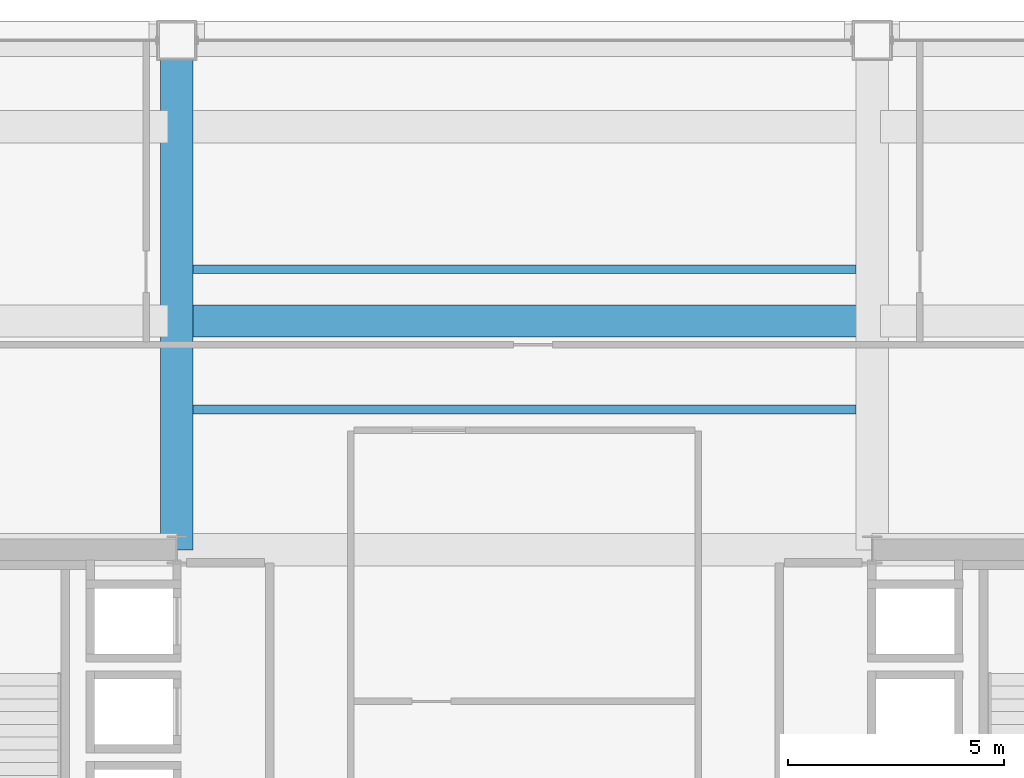
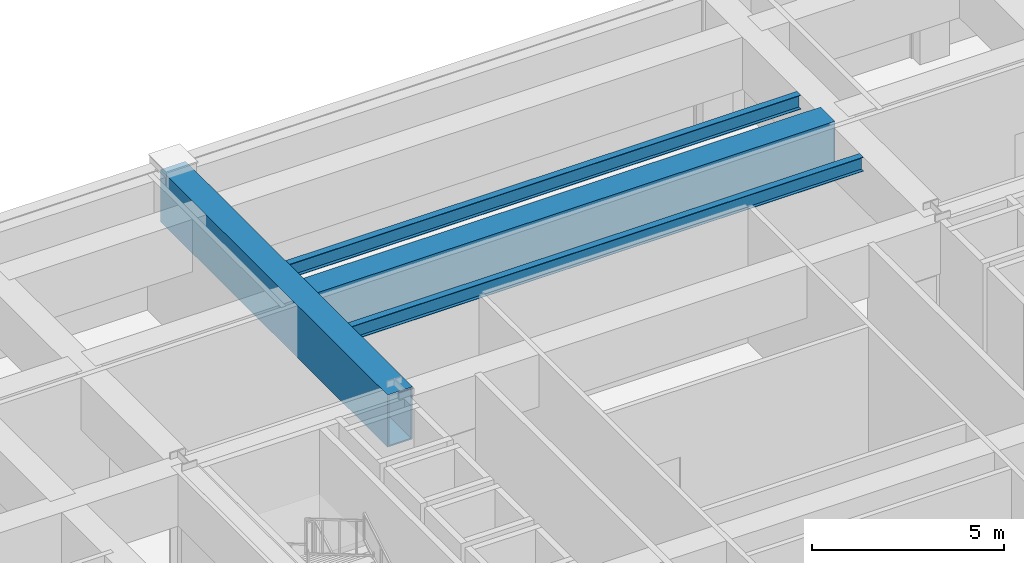
# One storey, part 19 of 29: 4 beams.
"""IFC4 building model written with IfcOpenShell, lengths in metres."""

import ifcopenshell
import ifcopenshell.guid

model = None  # the IFC model being written
_history = None  # IfcOwnerHistory: only IFC2X3 demands one
_inside = {}  # id of a spatial element -> (the spatial element, [elements in it])
_under = {}  # id of a project, library or spatial element -> (it, [spatial elements below it])
_declared = {}  # id of a project -> (the project, [libraries it declares])
_typed = {}  # id of a type object -> (the type object, [elements of that type])
_made_of = {}  # id of a material, layer set ... -> (it, [elements and type objects made of it])


def new_model(schema):
    """Start an empty IFC model of exactly this schema.

    Asked for "IFC4X3", IfcOpenShell would pick the latest addendum, in which some entities
    have other attributes; the version numbers below select the first issue.
    IFC2X3 requires an IfcOwnerHistory on every rooted entity: one is made here for all.
    """
    global model, _history
    if schema == "IFC4X3":
        model = ifcopenshell.file(schema_version=(4, 3, 0, 0))
    else:
        model = ifcopenshell.file(schema=schema)
    _inside.clear()
    _under.clear()
    _declared.clear()
    _typed.clear()
    _made_of.clear()
    _history = None
    if model.schema == "IFC2X3":
        org = make("IfcOrganization", Name="unknown")
        user = make(
            "IfcPersonAndOrganization",
            ThePerson=make("IfcPerson", FamilyName="unknown"),
            TheOrganization=org,
        )
        app = make(
            "IfcApplication",
            ApplicationDeveloper=org,
            Version="unknown",
            ApplicationFullName="unknown",
            ApplicationIdentifier="unknown",
        )
        _history = make(
            "IfcOwnerHistory",
            OwningUser=user,
            OwningApplication=app,
            ChangeAction="ADDED",
            CreationDate=0,
        )
    return model


def make(cls, **values):
    """One entity of the class cls with the attributes given. An attribute that is None is left unset."""
    return model.create_entity(
        cls, **{name: value for name, value in values.items() if value is not None}
    )


def rooted(cls, **values):
    """An entity with a GlobalId (a new one), such as an element, a storey or a relation."""
    return make(cls, GlobalId=ifcopenshell.guid.new(), OwnerHistory=_history, **values)


def si_unit(unit_type, name, prefix=None):
    """IfcSIUnit, for example si_unit("LENGTHUNIT", "METRE", prefix="MILLI")."""
    return make("IfcSIUnit", UnitType=unit_type, Prefix=prefix, Name=name)


def assignment(units):
    """IfcUnitAssignment: the units of a project."""
    return None if units is None else make("IfcUnitAssignment", Units=units)


def point(xyz):
    """IfcCartesianPoint."""
    return None if xyz is None else make("IfcCartesianPoint", Coordinates=xyz)


def direction(xyz):
    """IfcDirection."""
    return None if xyz is None else make("IfcDirection", DirectionRatios=xyz)


def frame(location, z_axis=None, x_axis=None):
    """IfcAxis2Placement3D, a coordinate frame: its origin and axes. An axis left out is left unset."""
    return make(
        "IfcAxis2Placement3D",
        Location=point(location),
        Axis=direction(z_axis),
        RefDirection=direction(x_axis),
    )


def frame_2d(location, x_axis=None):
    """IfcAxis2Placement2D, a coordinate frame in the plane: its origin and x axis."""
    return make(
        "IfcAxis2Placement2D", Location=point(location), RefDirection=direction(x_axis)
    )


def origin():
    """The frame at (0, 0, 0) with its axes left unset."""
    return frame((0.0, 0.0, 0.0))


def origin_2d():
    """The frame at (0, 0) in the plane with its x axis left unset."""
    return frame_2d((0.0, 0.0))


def place(relative_to, where):
    """IfcLocalPlacement: puts the frame where relative to a parent placement (None: the world)."""
    return make(
        "IfcLocalPlacement", PlacementRelTo=relative_to, RelativePlacement=where
    )


def context(
    kind, dimensions, precision=None, world=None, true_north=None, identifier=None
):
    """IfcGeometricRepresentationContext, for example the 3D "Model" context."""
    return make(
        "IfcGeometricRepresentationContext",
        ContextIdentifier=identifier,
        ContextType=kind,
        CoordinateSpaceDimension=dimensions,
        Precision=precision,
        WorldCoordinateSystem=world,
        TrueNorth=true_north,
    )


def subcontext(parent, identifier, kind, view, scale=None):
    """IfcGeometricRepresentationSubContext, for example "Body" below "Model"."""
    return make(
        "IfcGeometricRepresentationSubContext",
        ContextIdentifier=identifier,
        ContextType=kind,
        ParentContext=parent,
        TargetScale=scale,
        TargetView=view,
    )


def project(units=None, contexts=None):
    """IfcProject with its units and contexts."""
    return rooted(
        "IfcProject",
        Name="project",
        RepresentationContexts=contexts,
        UnitsInContext=assignment(units),
    )


def spatial(cls, under=None, at=None, **own):
    """A site, building, storey or space (cls), placed at a placement, below another one or the project."""
    s = rooted(cls, ObjectPlacement=at, **own)
    if under is not None:
        _under.setdefault(under.id(), (under, []))[1].append(s)
    return s


def profile(cls, at=None, kind="AREA", **sizes):
    """A parametric profile (cls). Its sizes go by their IFC names, for example OverallWidth=200.0."""
    return make(cls, ProfileType=kind, Position=at, **sizes)


def hollow_rectangle(**sizes):
    """IfcRectangleHollowProfileDef."""
    return profile("IfcRectangleHollowProfileDef", **sizes)


def i_section(**sizes):
    """IfcIShapeProfileDef."""
    return profile("IfcIShapeProfileDef", **sizes)


def extrude(swept, where, along, depth):
    """IfcExtrudedAreaSolid: the profile swept, set in the frame where, extruded along a direction by depth."""
    return make(
        "IfcExtrudedAreaSolid",
        SweptArea=swept,
        Position=where,
        ExtrudedDirection=direction(along),
        Depth=depth,
    )


def shape(context_of_items, identifier, shape_type, items):
    """IfcShapeRepresentation: the items that make up one representation, for example the "Body"."""
    return make(
        "IfcShapeRepresentation",
        ContextOfItems=context_of_items,
        RepresentationIdentifier=identifier,
        RepresentationType=shape_type,
        Items=items,
    )


def material(Name=None, Category=None):
    """IfcMaterial."""
    return make("IfcMaterial", Name=Name, Category=Category)


def material_profile(
    of_material, cross_section, Name=None, Category=None, Priority=None
):
    """IfcMaterialProfile: a cross section and its material."""
    return make(
        "IfcMaterialProfile",
        Name=Name,
        Material=of_material,
        Profile=cross_section,
        Priority=Priority,
        Category=Category,
    )


def profile_set(profiles, Name=None, composite=None):
    """IfcMaterialProfileSet."""
    return make(
        "IfcMaterialProfileSet",
        Name=Name,
        MaterialProfiles=profiles,
        CompositeProfile=composite,
    )


def made_of(thing, what):
    """Note that an element or type object is made of a material, layer set ...; save() writes the relation."""
    if what is not None:
        _made_of.setdefault(what.id(), (what, []))[1].append(thing)
    return thing


def type_object(cls, material=None, **own):
    """A type object (cls), such as IfcWallType, which elements share."""
    return made_of(rooted(cls, **own), material)


def element(
    cls,
    number,
    at=None,
    inside=None,
    cuts=None,
    type_object=None,
    material=None,
    context=None,
    identifier="Body",
    shape_type=None,
    held_by="IfcProductDefinitionShape",
    body=None,
    shapes=None,
    **own,
):
    """One element of the class cls, such as IfcWall. Its Tag is "e" and its number.

    at: its placement. inside: the storey or other place that contains it. cuts: it is an
    opening in that element (IfcRelVoidsElement). A single representation is given by context,
    identifier, shape_type and body (its items); several are given by shapes. held_by: the class
    of the entity that holds the representations. save() writes the other relations.
    """
    e = rooted(cls, Tag="e%d" % number, ObjectPlacement=at, **own)
    if body is not None:
        shapes = [shape(context, identifier, shape_type, body)]
    if shapes is not None:
        e.Representation = make(held_by, Representations=shapes)
    if inside is not None:
        _inside.setdefault(inside.id(), (inside, []))[1].append(e)
    if cuts is not None:
        rooted(
            "IfcRelVoidsElement", RelatingBuildingElement=cuts, RelatedOpeningElement=e
        )
    if type_object is not None:
        _typed.setdefault(type_object.id(), (type_object, []))[1].append(e)
    return made_of(e, material)


def aggregate(whole, parts):
    """IfcRelAggregates: a whole, such as a stair, and the parts it consists of."""
    return rooted("IfcRelAggregates", RelatingObject=whole, RelatedObjects=parts)


def save(model, path):
    """Write the relations noted so far, then the file.

    IfcRelAggregates (storeys below a building ...), IfcRelContainedInSpatialStructure (elements
    in a storey), IfcRelDefinesByType, IfcRelAssociatesMaterial and IfcRelDeclares: one each for
    every whole, place, type object, material and project.
    """
    for whole, parts in _under.values():
        aggregate(whole, parts)
    for where, things in _inside.values():
        rooted(
            "IfcRelContainedInSpatialStructure",
            RelatedElements=things,
            RelatingStructure=where,
        )
    for kind, things in _typed.values():
        rooted("IfcRelDefinesByType", RelatedObjects=things, RelatingType=kind)
    for what, things in _made_of.values():
        rooted("IfcRelAssociatesMaterial", RelatedObjects=things, RelatingMaterial=what)
    for by, libraries in _declared.values():
        rooted("IfcRelDeclares", RelatingContext=by, RelatedDefinitions=libraries)
    model.write(path)


model = new_model("IFC4")

# Units and contexts
model_context = context("Model", 3, precision=1e-05, world=origin(), true_north=direction((0.0, 1.0)))
body_context = subcontext(model_context, "Body", "Model", "MODEL_VIEW")
ifc_project = project(units=[si_unit("LENGTHUNIT", "METRE"), si_unit("AREAUNIT", "SQUARE_METRE"), si_unit("VOLUMEUNIT", "CUBIC_METRE"), si_unit("PLANEANGLEUNIT", "RADIAN"), si_unit("MASSUNIT", "GRAM", prefix="KILO")], contexts=[model_context])

# Site, building, storey
site_placement = place(None, origin())
site = spatial("IfcSite", under=ifc_project, at=site_placement, CompositionType="ELEMENT")
building_placement = place(site_placement, origin())
building = spatial("IfcBuilding", under=site, at=building_placement, Name="Brelmoor Portico Tower", CompositionType="ELEMENT")
storey_placement = place(building_placement, frame((0.0, 0.0, 82.800048828125)))
storey = spatial("IfcBuildingStorey", under=building, at=storey_placement, Name="L21", CompositionType="ELEMENT", Elevation=82.800048828125)

# Beams
ifc_material = material(Name="Steel Q355B", Category="steel")
ifc_material_profile_1 = material_profile(ifc_material, i_section(OverallWidth=0.199951171875, OverallDepth=0.449951171875, WebThickness=0.009033203125, FlangeThickness=0.013916015625, at=origin_2d()), Name="HN 450x200x9x14")
ifc_profile_set_1 = profile_set([ifc_material_profile_1], Name="Steel Q355B")
beam_type_1 = type_object("IfcBeamType", Name="BM-JS-450", PredefinedType="JOIST", material=ifc_profile_set_1)
for number, where, z_axis, x_axis, name in (
    (1, (-7.675048828125, 13.0, 4.074951171875), (1.0, 0.0, 0.0), (0.0, 1.0, 0.0), "L21 Secondary Composite Joist JS-C03"),
    (2, (-7.675048828125, 16.25, 4.074951171875), (1.0, 0.0, 0.0), (0.0, 1.0, 0.0), "L21 Secondary Composite Joist JS-C04"),
):
    element("IfcBeam", number, at=place(storey_placement, frame(where, z_axis=z_axis, x_axis=x_axis)), inside=storey, type_object=beam_type_1, Name=name, PredefinedType="JOIST", context=body_context, shape_type="SweptSolid", body=[
        extrude(i_section(OverallWidth=0.199951171875, OverallDepth=0.449951171875, WebThickness=0.009033203125, FlangeThickness=0.013916015625, at=origin_2d()), origin(), (0.0, 0.0, 1.0), 15.35009765625),
    ])
ifc_material_profile_2 = material_profile(ifc_material, hollow_rectangle(XDim=0.75, YDim=1.659912109375, WallThickness=0.0419921875, at=origin_2d()), Name="BOX 750x1660x42")
ifc_profile_set_2 = profile_set([ifc_material_profile_2], Name="Steel Q355B")
beam_type_2 = type_object("IfcBeamType", Name="BM-TG-Z2", PredefinedType="BEAM", material=ifc_profile_set_2)
beam_1_placement = place(storey_placement, frame((-8.050048828125, 9.75, 3.469970703125), z_axis=(0.0, 1.0, 0.0), x_axis=(-1.0, 0.0, 0.0)))
element("IfcBeam", 3, at=beam_1_placement, inside=storey, type_object=beam_type_2, Name="L21 Setback Transfer Girder PG-08", PredefinedType="BEAM", context=body_context, shape_type="SweptSolid", body=[
    extrude(hollow_rectangle(XDim=0.75, YDim=1.659912109375, WallThickness=0.0419921875, at=origin_2d()), origin(), (0.0, 0.0, 1.0), 11.800048828125),
])
beam_2_placement = place(storey_placement, frame((-7.85009765625, 15.050048828125, 3.469970703125), z_axis=(1.0, 0.0, 0.0), x_axis=(0.0, 1.0, 0.0)))
element("IfcBeam", 4, at=beam_2_placement, inside=storey, type_object=beam_type_2, Name="L21 Setback Transfer Girder TGN-18", PredefinedType="BEAM", context=body_context, shape_type="SweptSolid", body=[
    extrude(hollow_rectangle(XDim=0.75, YDim=1.659912109375, WallThickness=0.0419921875, at=origin_2d()), origin(), (0.0, 0.0, 1.0), 15.7001953125),
])

save(model, "model.ifc")
